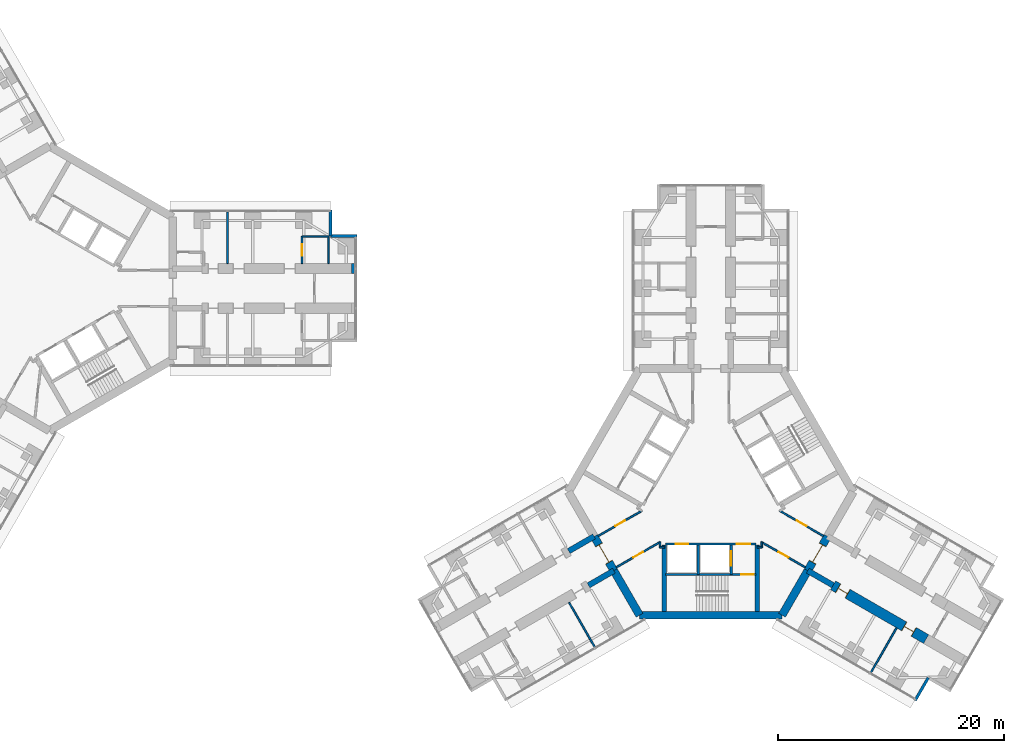
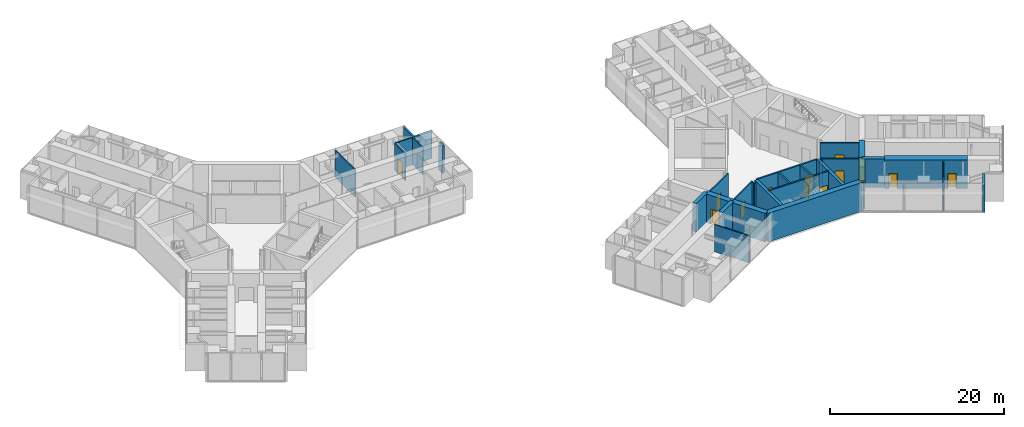
# One storey, part 20 of 24: 33 walls, 13 doors, 13 openings.
"""IFC4 building model written with IfcOpenShell, lengths in metres."""

from ifc_helpers import new_model, si_unit, direction, frame, frame_2d, origin, place, context, subcontext, project, spatial, rectangle, extrude, material, layer, layer_set, type_object, element, fill, save


model = new_model("IFC4")

# Units and contexts
model_context = context("Model", 3, precision=1e-05, world=origin(), true_north=direction((0.0, 1.0)))
body_context = subcontext(model_context, "Body", "Model", "MODEL_VIEW")
ifc_project = project(units=[si_unit("LENGTHUNIT", "METRE"), si_unit("AREAUNIT", "SQUARE_METRE"), si_unit("VOLUMEUNIT", "CUBIC_METRE"), si_unit("PLANEANGLEUNIT", "RADIAN"), si_unit("MASSUNIT", "GRAM", prefix="KILO")], contexts=[model_context])

# Site, building, storey
site_placement = place(None, origin())
site = spatial("IfcSite", under=ifc_project, at=site_placement, CompositionType="ELEMENT")
building_placement = place(site_placement, origin())
building = spatial("IfcBuilding", under=site, at=building_placement, Name="Upepo Twin Towers", CompositionType="ELEMENT")
storey_placement = place(building_placement, frame((0.0, 0.0, 56.5)))
storey = spatial("IfcBuildingStorey", under=building, at=storey_placement, Name="L13", CompositionType="ELEMENT", Elevation=56.5)

# Walls
ifc_material_1 = material(Name="Dense concrete blockwork", Category="masonry")
ifc_layer_1 = layer(ifc_material_1, 0.89990234375)
ifc_layer_set_1 = layer_set([ifc_layer_1], Name="Buttress closer 900, blockwork with fire-stopping to the curtain wall")
wall_type_1 = type_object("IfcWallType", Name="Buttress closer 900, blockwork with fire-stopping to the curtain wall", PredefinedType="PARTITIONING", material=ifc_layer_set_1)
wall_1_placement = place(storey_placement, frame((26.699951171875, 1.75, 0.0), z_axis=(0.0, 0.0, 1.0), x_axis=(1.0, 0.0, 0.0)))
element("IfcWall", 1, at=wall_1_placement, inside=storey, type_object=wall_type_1, Name="T1 L13 wing A buttress closer L", PredefinedType="PARTITIONING", context=body_context, shape_type="SweptSolid", body=[
    extrude(rectangle(XDim=0.31005859375, YDim=0.89990234375, at=frame_2d((0.155029296875, 0.0))), origin(), (0.0, 0.0, 1.0), 3.800048828125),
])
ifc_material_2 = material(Name="Concrete C60/75", Category="concrete")
ifc_layer_2 = layer(ifc_material_2, 0.5)
ifc_layer_set_2 = layer_set([ifc_layer_2], Name="Concrete C60/75")
wall_type_2 = type_object("IfcWallType", Name="Buttress wall 500 RC", PredefinedType="SHEAR", material=ifc_layer_set_2)
for number, where, z_axis, x_axis, name in (
    (2, (49.92822265625, -24.9697265625, 0.0), (0.0, 0.0, 1.0), (-0.866031863473, -0.499988811324, 0.0), "T2 wing B buttress wall L"),
    (3, (48.17822265625, -21.938720703125, 0.0), (0.0, 0.0, 1.0), (-0.866072649678, -0.499918158782, 0.0), "T2 wing B buttress wall R"),
    (4, (67.07177734375, -24.9697265625, 0.0), (0.0, 0.0, 1.0), (0.866031863473, -0.499988811324, 0.0), "T2 wing C buttress wall R"),
):
    element("IfcWall", number, at=place(storey_placement, frame(where, z_axis=z_axis, x_axis=x_axis)), inside=storey, type_object=wall_type_2, Name=name, PredefinedType="SHEAR", context=body_context, shape_type="SweptSolid", body=[
        extrude(rectangle(XDim=2.591796875, YDim=0.5, at=frame_2d((1.2958984375, 0.0))), origin(), (0.0, 0.0, 1.0), 4.0),
    ])

# Wall, openings, doors
ifc_material_3 = material(Name="Concrete C60/75", Category="concrete")
ifc_layer_3 = layer(ifc_material_3, 0.89990234375)
ifc_layer_set_3 = layer_set([ifc_layer_3], Name="Concrete C60/75")
wall_type_3 = type_object("IfcWallType", Name="Buttress wall 900 RC", PredefinedType="SHEAR", material=ifc_layer_set_3)
wall_2_placement = place(storey_placement, frame((69.31640625, -26.265625, 0.0), z_axis=(0.0, 0.0, 1.0), x_axis=(0.86602681393, -0.499997557548, 0.0)))
wall_2 = element("IfcWall", 5, at=wall_2_placement, inside=storey, type_object=wall_type_3, Name="T2 wing C buttress wall R part 2", PredefinedType="SHEAR", context=body_context, shape_type="SweptSolid", body=[
    extrude(rectangle(XDim=9.5, YDim=0.89990234375, at=frame_2d((4.75, 0.0))), origin(), (0.0, 0.0, 1.0), 4.0),
])
opening_1_placement = place(wall_2_placement, frame((0.5, 0.0, 0.0)))
opening_1 = element("IfcOpeningElement", 6, at=opening_1_placement, cuts=wall_2, Name="Opening D1", PredefinedType="OPENING", context=body_context, shape_type="SweptSolid", body=[
    extrude(rectangle(XDim=1.0, YDim=2.10009765625, at=frame_2d((0.5, 1.050048828125))), frame((0.0, 0.4599609375, 0.0), z_axis=(0.0, -1.0, 0.0), x_axis=(1.0, 0.0, 0.0)), (0.0, 0.0, 1.0), 0.919921875),
])
opening_2_placement = place(wall_2_placement, frame((7.25, 0.0, 0.0)))
opening_2 = element("IfcOpeningElement", 7, at=opening_2_placement, cuts=wall_2, Name="Opening D1", PredefinedType="OPENING", context=body_context, shape_type="SweptSolid", body=[
    extrude(rectangle(XDim=1.0, YDim=2.10009765625, at=frame_2d((0.5, 1.050048828125))), frame((0.0, 0.4599609375, 0.0), z_axis=(0.0, -1.0, 0.0), x_axis=(1.0, 0.0, 0.0)), (0.0, 0.0, 1.0), 0.919921875),
])
ifc_material_4 = material(Name="Timber doorset", Category="wood")
door_type_1 = type_object("IfcDoorType", Name="Room door 1000 FD30", OperationType="SINGLE_SWING_LEFT", PredefinedType="DOOR", material=ifc_material_4)
door_1_placement = place(opening_1_placement, origin())
door_1 = element("IfcDoor", 8, at=door_1_placement, inside=storey, type_object=door_type_1, Name="T2 L13 classroom door", OperationType="SINGLE_SWING_LEFT", OverallHeight=2.10009765625, OverallWidth=1.0, PredefinedType="DOOR", context=body_context, shape_type="SweptSolid", body=[
    extrude(rectangle(XDim=0.92, YDim=2.06009765625, at=frame_2d((0.5, 1.030029296875))), frame((0.0, 0.02490234375, 0.0), z_axis=(0.0, -1.0, 0.0), x_axis=(1.0, 0.0, 0.0)), (0.0, 0.0, 1.0), 0.050048828125),
    extrude(rectangle(XDim=0.04, YDim=2.10009765625, at=frame_2d((0.02001953125, 1.050048828125))), frame((0.0, 0.44970703125, 0.0), z_axis=(0.0, -1.0, 0.0), x_axis=(1.0, 0.0, 0.0)), (0.0, 0.0, 1.0), 0.8994140625),
    extrude(rectangle(XDim=0.04, YDim=2.10009765625, at=frame_2d((0.97998046875, 1.050048828125))), frame((0.0, 0.44970703125, 0.0), z_axis=(0.0, -1.0, 0.0), x_axis=(1.0, 0.0, 0.0)), (0.0, 0.0, 1.0), 0.8994140625),
    extrude(rectangle(XDim=0.92, YDim=0.04, at=frame_2d((0.5, 2.080078125))), frame((0.0, 0.44970703125, 0.0), z_axis=(0.0, -1.0, 0.0), x_axis=(1.0, 0.0, 0.0)), (0.0, 0.0, 1.0), 0.8994140625),
])
fill(opening_1, door_1)
door_2_placement = place(opening_2_placement, origin())
door_2 = element("IfcDoor", 9, at=door_2_placement, inside=storey, type_object=door_type_1, Name="T2 L13 tutorial room door", OperationType="SINGLE_SWING_RIGHT", OverallHeight=2.10009765625, OverallWidth=1.0, PredefinedType="DOOR", context=body_context, shape_type="SweptSolid", body=[
    extrude(rectangle(XDim=0.92, YDim=2.06009765625, at=frame_2d((0.5, 1.030029296875))), frame((0.0, 0.02490234375, 0.0), z_axis=(0.0, -1.0, 0.0), x_axis=(1.0, 0.0, 0.0)), (0.0, 0.0, 1.0), 0.050048828125),
    extrude(rectangle(XDim=0.04, YDim=2.10009765625, at=frame_2d((0.02001953125, 1.050048828125))), frame((0.0, 0.44970703125, 0.0), z_axis=(0.0, -1.0, 0.0), x_axis=(1.0, 0.0, 0.0)), (0.0, 0.0, 1.0), 0.8994140625),
    extrude(rectangle(XDim=0.04, YDim=2.10009765625, at=frame_2d((0.97998046875, 1.050048828125))), frame((0.0, 0.44970703125, 0.0), z_axis=(0.0, -1.0, 0.0), x_axis=(1.0, 0.0, 0.0)), (0.0, 0.0, 1.0), 0.8994140625),
    extrude(rectangle(XDim=0.92, YDim=0.04, at=frame_2d((0.5, 2.080078125))), frame((0.0, 0.44970703125, 0.0), z_axis=(0.0, -1.0, 0.0), x_axis=(1.0, 0.0, 0.0)), (0.0, 0.0, 1.0), 0.8994140625),
])
fill(opening_2, door_2)

# Wall, opening, door
ifc_material_5 = material(Name="Concrete C60/75", Category="concrete")
ifc_layer_4 = layer(ifc_material_5, 0.699951171875)
ifc_layer_set_4 = layer_set([ifc_layer_4], Name="Concrete C60/75")
wall_type_4 = type_object("IfcWallType", Name="Core wall 700 RC", PredefinedType="SHEAR", material=ifc_layer_set_4)
wall_3_placement = place(storey_placement, frame((48.17822265625, -21.938720703125, 0.0), z_axis=(0.0, 0.0, 1.0), x_axis=(0.500010275428, -0.866019471182, 0.0)))
wall_3 = element("IfcWall", 10, at=wall_3_placement, inside=storey, type_object=wall_type_4, Name="T2 core wall 120", PredefinedType="SHEAR", context=body_context, shape_type="SweptSolid", body=[
    extrude(rectangle(XDim=3.5, YDim=0.699951171875, at=frame_2d((1.75, 0.0))), origin(), (0.0, 0.0, 1.0), 4.0),
])
opening_3_placement = place(wall_3_placement, frame((0.85009765625, 0.0, 0.0)))
opening_3 = element("IfcOpeningElement", 11, at=opening_3_placement, cuts=wall_3, Name="Opening D2", PredefinedType="OPENING", context=body_context, shape_type="SweptSolid", body=[
    extrude(rectangle(XDim=1.800048828125, YDim=2.10009765625, at=frame_2d((0.89990234375, 1.050048828125))), frame((0.0, 0.35986328125, 0.0), z_axis=(0.0, -1.0, 0.0), x_axis=(1.0, 0.0, 0.0)), (0.0, 0.0, 1.0), 0.719970703125),
])
ifc_material_6 = material(Name="Timber doorset", Category="wood")
door_type_2 = type_object("IfcDoorType", Name="Corridor double door 1800 FD60", OperationType="DOUBLE_DOOR_DOUBLE_SWING", PredefinedType="DOOR", material=ifc_material_6)
door_3_placement = place(opening_3_placement, origin())
door_3 = element("IfcDoor", 12, at=door_3_placement, inside=storey, type_object=door_type_2, Name="T2 L13 wing B corridor door", OperationType="DOUBLE_DOOR_DOUBLE_SWING", OverallHeight=2.10009765625, OverallWidth=1.800048828125, PredefinedType="DOOR", context=body_context, shape_type="SweptSolid", body=[
    extrude(rectangle(XDim=1.720048828125, YDim=2.06009765625, at=frame_2d((0.89990234375, 1.030029296875))), frame((0.0, 0.02490234375, 0.0), z_axis=(0.0, -1.0, 0.0), x_axis=(1.0, 0.0, 0.0)), (0.0, 0.0, 1.0), 0.050048828125),
    extrude(rectangle(XDim=0.04, YDim=2.10009765625, at=frame_2d((0.02001953125, 1.050048828125))), frame((0.0, 0.349609375, 0.0), z_axis=(0.0, -1.0, 0.0), x_axis=(1.0, 0.0, 0.0)), (0.0, 0.0, 1.0), 0.699462890625),
    extrude(rectangle(XDim=0.04, YDim=2.10009765625, at=frame_2d((1.780029296875, 1.050048828125))), frame((0.0, 0.349609375, 0.0), z_axis=(0.0, -1.0, 0.0), x_axis=(1.0, 0.0, 0.0)), (0.0, 0.0, 1.0), 0.699462890625),
    extrude(rectangle(XDim=1.720048828125, YDim=0.04, at=frame_2d((0.89990234375, 2.080078125))), frame((0.0, 0.349609375, 0.0), z_axis=(0.0, -1.0, 0.0), x_axis=(1.0, 0.0, 0.0)), (0.0, 0.0, 1.0), 0.699462890625),
])
fill(opening_3, door_3)

# Walls
wall_4_placement = place(storey_placement, frame((49.92822265625, -24.9697265625, 0.0), z_axis=(0.0, 0.0, 1.0), x_axis=(0.499984222037, -0.866034513004, 0.0)))
element("IfcWall", 13, at=wall_4_placement, inside=storey, type_object=wall_type_4, Name="T2 core wall 120 L", PredefinedType="SHEAR", context=body_context, shape_type="SweptSolid", body=[
    extrude(rectangle(XDim=4.548095703125, YDim=0.699951171875, at=frame_2d((2.27392578125, 0.0))), origin(), (0.0, 0.0, 1.0), 4.0),
])
wall_5_placement = place(storey_placement, frame((52.2021484375, -28.908447265625, 0.0), z_axis=(0.0, 0.0, 1.0), x_axis=(1.0, 0.0, 0.0)))
element("IfcWall", 14, at=wall_5_placement, inside=storey, type_object=wall_type_4, Name="T2 core wall 180", PredefinedType="SHEAR", context=body_context, shape_type="SweptSolid", body=[
    extrude(rectangle(XDim=12.595703125, YDim=0.699951171875, at=frame_2d((6.2978515625, 0.0))), origin(), (0.0, 0.0, 1.0), 4.0),
])
wall_6_placement = place(storey_placement, frame((64.7978515625, -28.908447265625, 0.0), z_axis=(0.0, 0.0, 1.0), x_axis=(0.499984222037, 0.866034513004, 0.0)))
element("IfcWall", 15, at=wall_6_placement, inside=storey, type_object=wall_type_4, Name="T2 core wall 240 R", PredefinedType="SHEAR", context=body_context, shape_type="SweptSolid", body=[
    extrude(rectangle(XDim=4.548095703125, YDim=0.699951171875, at=frame_2d((2.27392578125, 0.0))), origin(), (0.0, 0.0, 1.0), 4.0),
])

# Wall, opening, door
wall_7_placement = place(storey_placement, frame((67.07177734375, -24.9697265625, 0.0), z_axis=(0.0, 0.0, 1.0), x_axis=(0.500010275428, 0.866019471182, 0.0)))
wall_7 = element("IfcWall", 16, at=wall_7_placement, inside=storey, type_object=wall_type_4, Name="T2 core wall 240", PredefinedType="SHEAR", context=body_context, shape_type="SweptSolid", body=[
    extrude(rectangle(XDim=3.5, YDim=0.699951171875, at=frame_2d((1.75, 0.0))), origin(), (0.0, 0.0, 1.0), 4.0),
])
opening_4_placement = place(wall_7_placement, frame((0.85009765625, 0.0, 0.0)))
opening_4 = element("IfcOpeningElement", 17, at=opening_4_placement, cuts=wall_7, Name="Opening D2", PredefinedType="OPENING", context=body_context, shape_type="SweptSolid", body=[
    extrude(rectangle(XDim=1.800048828125, YDim=2.10009765625, at=frame_2d((0.89990234375, 1.050048828125))), frame((0.0, 0.35986328125, 0.0), z_axis=(0.0, -1.0, 0.0), x_axis=(1.0, 0.0, 0.0)), (0.0, 0.0, 1.0), 0.719970703125),
])
door_4_placement = place(opening_4_placement, origin())
door_4 = element("IfcDoor", 18, at=door_4_placement, inside=storey, type_object=door_type_2, Name="T2 L13 wing C corridor door", OperationType="DOUBLE_DOOR_DOUBLE_SWING", OverallHeight=2.10009765625, OverallWidth=1.800048828125, PredefinedType="DOOR", context=body_context, shape_type="SweptSolid", body=[
    extrude(rectangle(XDim=1.720048828125, YDim=2.06009765625, at=frame_2d((0.89990234375, 1.030029296875))), frame((0.0, 0.02490234375, 0.0), z_axis=(0.0, -1.0, 0.0), x_axis=(1.0, 0.0, 0.0)), (0.0, 0.0, 1.0), 0.050048828125),
    extrude(rectangle(XDim=0.04, YDim=2.10009765625, at=frame_2d((0.02001953125, 1.050048828125))), frame((0.0, 0.349609375, 0.0), z_axis=(0.0, -1.0, 0.0), x_axis=(1.0, 0.0, 0.0)), (0.0, 0.0, 1.0), 0.699462890625),
    extrude(rectangle(XDim=0.04, YDim=2.10009765625, at=frame_2d((1.780029296875, 1.050048828125))), frame((0.0, 0.349609375, 0.0), z_axis=(0.0, -1.0, 0.0), x_axis=(1.0, 0.0, 0.0)), (0.0, 0.0, 1.0), 0.699462890625),
    extrude(rectangle(XDim=1.720048828125, YDim=0.04, at=frame_2d((0.89990234375, 2.080078125))), frame((0.0, 0.349609375, 0.0), z_axis=(0.0, -1.0, 0.0), x_axis=(1.0, 0.0, 0.0)), (0.0, 0.0, 1.0), 0.699462890625),
])
fill(opening_4, door_4)

# Walls
ifc_material_7 = material(Name="Blockwork with anodised aluminium cladding", Category="masonry")
ifc_layer_5 = layer(ifc_material_7, 0.25)
ifc_layer_set_5 = layer_set([ifc_layer_5], Name="Notch cladding wall 250, pale metal")
wall_type_5 = type_object("IfcWallType", Name="Notch cladding wall 250, pale metal", PredefinedType="STANDARD", material=ifc_layer_set_5)
for number, where, z_axis, x_axis, name in (
    (19, (24.875, 6.949951171875, 0.0), (0.0, 0.0, 1.0), (0.0, -1.0, 0.0), "T1 L13 wing A notch wall L1"),
    (20, (24.875, 4.625, 0.0), (0.0, 0.0, 1.0), (1.0, 0.0, 0.0), "T1 L13 wing A notch wall L2"),
    (21, (76.5673828125, -36.456298828125, 0.0), (0.0, 0.0, 1.0), (0.500046648681, 0.865998469481, 0.0), "T2 L13 wing C notch wall R1"),
):
    element("IfcWall", number, at=place(storey_placement, frame(where, z_axis=z_axis, x_axis=x_axis)), inside=storey, type_object=wall_type_5, Name=name, PredefinedType="STANDARD", context=body_context, shape_type="SweptSolid", body=[
        extrude(rectangle(XDim=2.324951171875, YDim=0.25, at=frame_2d((1.16259765625, 0.0))), origin(), (0.0, 0.0, 1.0), 3.800048828125),
    ])

# Wall, openings, doors
ifc_material_8 = material(Name="Concrete C40/50", Category="concrete")
ifc_layer_6 = layer(ifc_material_8, 0.199951171875)
ifc_layer_set_6 = layer_set([ifc_layer_6], Name="Concrete C40/50")
wall_type_6 = type_object("IfcWallType", Name="Shaft wall 200 RC", PredefinedType="SHEAR", material=ifc_layer_set_6)
wall_8_placement = place(storey_placement, frame((54.5, -22.60009765625, 0.0), z_axis=(0.0, 0.0, 1.0), x_axis=(1.0, 0.0, 0.0)))
wall_8 = element("IfcWall", 22, at=wall_8_placement, inside=storey, type_object=wall_type_6, Name="T2 core W180 front wall", PredefinedType="SHEAR", context=body_context, shape_type="SweptSolid", body=[
    extrude(rectangle(XDim=8.0, YDim=0.199951171875, at=frame_2d((4.0, 0.0))), origin(), (0.0, 0.0, 1.0), 4.0),
])
opening_5_placement = place(wall_8_placement, frame((6.300048828125, 0.0, 0.0)))
opening_5 = element("IfcOpeningElement", 23, at=opening_5_placement, cuts=wall_8, Name="Opening D4", PredefinedType="OPENING", context=body_context, shape_type="SweptSolid", body=[
    extrude(rectangle(XDim=1.199951171875, YDim=2.10009765625, at=frame_2d((0.60009765625, 1.050048828125))), frame((0.0, 0.10986328125, 0.0), z_axis=(0.0, -1.0, 0.0), x_axis=(1.0, 0.0, 0.0)), (0.0, 0.0, 1.0), 0.219970703125),
])
opening_6_placement = place(wall_8_placement, frame((0.89990234375, 0.0, 0.0)))
opening_6 = element("IfcOpeningElement", 24, at=opening_6_placement, cuts=wall_8, Name="Opening LD1", PredefinedType="OPENING", context=body_context, shape_type="SweptSolid", body=[
    extrude(rectangle(XDim=1.10009765625, YDim=2.199951171875, at=frame_2d((0.550048828125, 1.10009765625))), frame((0.0, 0.10986328125, 0.0), z_axis=(0.0, -1.0, 0.0), x_axis=(1.0, 0.0, 0.0)), (0.0, 0.0, 1.0), 0.219970703125),
])
ifc_material_9 = material(Name="Steel doorset", Category="steel")
door_type_3 = type_object("IfcDoorType", Name="Lift landing door 1100", OperationType="DOUBLE_DOOR_SLIDING", PredefinedType="DOOR", material=ifc_material_9)
door_5_placement = place(opening_6_placement, origin())
door_5 = element("IfcDoor", 25, at=door_5_placement, inside=storey, type_object=door_type_3, Name="T2 L13 lift SV1 landing door", OperationType="DOUBLE_DOOR_SLIDING", OverallHeight=2.199951171875, OverallWidth=1.10009765625, PredefinedType="DOOR", context=body_context, shape_type="SweptSolid", body=[
    extrude(rectangle(XDim=1.10009765625, YDim=2.199951171875, at=frame_2d((0.550048828125, 1.10009765625))), frame((0.0, 0.02490234375, 0.0), z_axis=(0.0, -1.0, 0.0), x_axis=(1.0, 0.0, 0.0)), (0.0, 0.0, 1.0), 0.050048828125),
])
fill(opening_6, door_5)
ifc_material_10 = material(Name="Timber doorset", Category="wood")
door_type_4 = type_object("IfcDoorType", Name="Lobby door 1200 FD60", OperationType="SINGLE_SWING_LEFT", PredefinedType="DOOR", material=ifc_material_10)
door_6_placement = place(opening_5_placement, origin())
door_6 = element("IfcDoor", 26, at=door_6_placement, inside=storey, type_object=door_type_4, Name="T2 L13 W180 lobby door", OperationType="SINGLE_SWING_RIGHT", OverallHeight=2.10009765625, OverallWidth=1.199951171875, PredefinedType="DOOR", context=body_context, shape_type="SweptSolid", body=[
    extrude(rectangle(XDim=1.199951171875, YDim=2.10009765625, at=frame_2d((0.60009765625, 1.050048828125))), frame((0.0, 0.02490234375, 0.0), z_axis=(0.0, -1.0, 0.0), x_axis=(1.0, 0.0, 0.0)), (0.0, 0.0, 1.0), 0.050048828125),
])
fill(opening_5, door_6)

# Wall
wall_9_placement = place(storey_placement, frame((57.39990234375, -22.699951171875, 0.0), z_axis=(0.0, 0.0, 1.0), x_axis=(0.0, -1.0, 0.0)))
element("IfcWall", 27, at=wall_9_placement, inside=storey, type_object=wall_type_6, Name="T2 core W180 shaft divider", PredefinedType="SHEAR", context=body_context, shape_type="SweptSolid", body=[
    extrude(rectangle(XDim=2.60009765625, YDim=0.199951171875, at=frame_2d((1.300048828125, 0.0))), origin(), (0.0, 0.0, 1.0), 4.0),
])

# Wall, opening, door
wall_10_placement = place(storey_placement, frame((60.300048828125, -22.699951171875, 0.0), z_axis=(0.0, 0.0, 1.0), x_axis=(0.0, -1.0, 0.0)))
wall_10 = element("IfcWall", 28, at=wall_10_placement, inside=storey, type_object=wall_type_6, Name="T2 core W180 lobby wall", PredefinedType="SHEAR", context=body_context, shape_type="SweptSolid", body=[
    extrude(rectangle(XDim=2.60009765625, YDim=0.199951171875, at=frame_2d((1.300048828125, 0.0))), origin(), (0.0, 0.0, 1.0), 4.0),
])
opening_7_placement = place(wall_10_placement, frame((0.550048828125, 0.0, 0.0)))
opening_7 = element("IfcOpeningElement", 29, at=opening_7_placement, cuts=wall_10, Name="Opening LD2", PredefinedType="OPENING", context=body_context, shape_type="SweptSolid", body=[
    extrude(rectangle(XDim=1.300048828125, YDim=2.199951171875, at=frame_2d((0.64990234375, 1.10009765625))), frame((0.0, 0.10986328125, 0.0), z_axis=(0.0, -1.0, 0.0), x_axis=(1.0, 0.0, 0.0)), (0.0, 0.0, 1.0), 0.219970703125),
])
ifc_material_11 = material(Name="Steel doorset", Category="steel")
door_type_5 = type_object("IfcDoorType", Name="Firefighting lift landing door 1300", OperationType="DOUBLE_DOOR_SLIDING", PredefinedType="DOOR", material=ifc_material_11)
door_7_placement = place(opening_7_placement, origin())
door_7 = element("IfcDoor", 30, at=door_7_placement, inside=storey, type_object=door_type_5, Name="T2 L13 firefighting lift landing door", OperationType="DOUBLE_DOOR_SLIDING", OverallHeight=2.199951171875, OverallWidth=1.300048828125, PredefinedType="DOOR", context=body_context, shape_type="SweptSolid", body=[
    extrude(rectangle(XDim=1.300048828125, YDim=2.199951171875, at=frame_2d((0.64990234375, 1.10009765625))), frame((0.0, 0.02490234375, 0.0), z_axis=(0.0, -1.0, 0.0), x_axis=(1.0, 0.0, 0.0)), (0.0, 0.0, 1.0), 0.050048828125),
])
fill(opening_7, door_7)

wall_11_placement = place(storey_placement, frame((54.5, -25.300048828125, 0.0), z_axis=(0.0, 0.0, 1.0), x_axis=(1.0, 0.0, 0.0)))
wall_11 = element("IfcWall", 31, at=wall_11_placement, inside=storey, type_object=wall_type_6, Name="T2 core W180 stair wall", PredefinedType="SHEAR", context=body_context, shape_type="SweptSolid", body=[
    extrude(rectangle(XDim=8.0, YDim=0.199951171875, at=frame_2d((4.0, 0.0))), origin(), (0.0, 0.0, 1.0), 4.0),
])
opening_8_placement = place(wall_11_placement, frame((6.699951171875, 0.0, 0.0)))
opening_8 = element("IfcOpeningElement", 32, at=opening_8_placement, cuts=wall_11, Name="Opening D3", PredefinedType="OPENING", context=body_context, shape_type="SweptSolid", body=[
    extrude(rectangle(XDim=1.10009765625, YDim=2.10009765625, at=frame_2d((0.550048828125, 1.050048828125))), frame((0.0, 0.10986328125, 0.0), z_axis=(0.0, -1.0, 0.0), x_axis=(1.0, 0.0, 0.0)), (0.0, 0.0, 1.0), 0.219970703125),
])
ifc_material_12 = material(Name="Timber doorset", Category="wood")
door_type_6 = type_object("IfcDoorType", Name="Stair door 1100 FD60", OperationType="SINGLE_SWING_LEFT", PredefinedType="DOOR", material=ifc_material_12)
door_8_placement = place(opening_8_placement, origin())
door_8 = element("IfcDoor", 33, at=door_8_placement, inside=storey, type_object=door_type_6, Name="T2 L13 stair door", OperationType="SINGLE_SWING_RIGHT", OverallHeight=2.10009765625, OverallWidth=1.10009765625, PredefinedType="DOOR", context=body_context, shape_type="SweptSolid", body=[
    extrude(rectangle(XDim=1.10009765625, YDim=2.10009765625, at=frame_2d((0.550048828125, 1.050048828125))), frame((0.0, 0.02490234375, 0.0), z_axis=(0.0, -1.0, 0.0), x_axis=(1.0, 0.0, 0.0)), (0.0, 0.0, 1.0), 0.050048828125),
])
fill(opening_8, door_8)

# Walls
ifc_material_13 = material(Name="Concrete C40/50", Category="concrete")
ifc_layer_7 = layer(ifc_material_13, 0.39990234375)
ifc_layer_set_7 = layer_set([ifc_layer_7], Name="Concrete C40/50")
wall_type_7 = type_object("IfcWallType", Name="Shaft wall 400 RC", PredefinedType="SHEAR", material=ifc_layer_set_7)
for number, where, z_axis, x_axis, name in (
    (34, (62.60009765625, -22.699951171875, 0.0), (0.0, 0.0, 1.0), (0.0, -1.0, 0.0), "T2 core W180 side wall N"),
    (35, (54.39990234375, -22.699951171875, 0.0), (0.0, 0.0, 1.0), (0.0, -1.0, 0.0), "T2 core W180 side wall S"),
):
    element("IfcWall", number, at=place(storey_placement, frame(where, z_axis=z_axis, x_axis=x_axis)), inside=storey, type_object=wall_type_7, Name=name, PredefinedType="SHEAR", context=body_context, shape_type="SweptSolid", body=[
        extrude(rectangle(XDim=5.8583984375, YDim=0.39990234375, at=frame_2d((2.92919921875, 0.0))), origin(), (0.0, 0.0, 1.0), 4.0),
    ])
ifc_material_14 = material(Name="Gypsum board on steel studs", Category="steel")
ifc_layer_8 = layer(ifc_material_14, 0.14990234375)
ifc_layer_set_8 = layer_set([ifc_layer_8], Name="Teaching partition 150 acoustic")
wall_type_8 = type_object("IfcWallType", Name="Teaching partition 150 acoustic", PredefinedType="PARTITIONING", material=ifc_layer_set_8)
wall_12_placement = place(storey_placement, frame((15.75, 2.199951171875, 0.0), z_axis=(0.0, 0.0, 1.0), x_axis=(0.0, 1.0, 0.0)))
element("IfcWall", 36, at=wall_12_placement, inside=storey, type_object=wall_type_8, Name="T1 partition AL at 15.75", PredefinedType="PARTITIONING", context=body_context, shape_type="SweptSolid", body=[
    extrude(rectangle(XDim=4.550048828125, YDim=0.14990234375, at=frame_2d((2.27490234375, 0.0))), origin(), (0.0, 0.0, 1.0), 3.800048828125),
])
wall_13_placement = place(storey_placement, frame((22.35009765625, 4.60009765625, 0.0), z_axis=(0.0, 0.0, 1.0), x_axis=(1.0, 0.0, 0.0)))
element("IfcWall", 37, at=wall_13_placement, inside=storey, type_object=wall_type_8, Name="T1 inner room partition AL at 22.35", PredefinedType="PARTITIONING", context=body_context, shape_type="SweptSolid", body=[
    extrude(rectangle(XDim=2.39990234375, YDim=0.14990234375, at=frame_2d((1.199951171875, 0.0))), origin(), (0.0, 0.0, 1.0), 3.800048828125),
])

# Wall, opening, door
wall_14_placement = place(storey_placement, frame((22.35009765625, 2.199951171875, 0.0), z_axis=(0.0, 0.0, 1.0), x_axis=(0.0, 1.0, 0.0)))
wall_14 = element("IfcWall", 38, at=wall_14_placement, inside=storey, type_object=wall_type_8, Name="T1 inner room partition AL end at 22.35", PredefinedType="PARTITIONING", context=body_context, shape_type="SweptSolid", body=[
    extrude(rectangle(XDim=2.400146484375, YDim=0.14990234375, at=frame_2d((1.2001953125, 0.0))), origin(), (0.0, 0.0, 1.0), 3.800048828125),
])
opening_9_placement = place(wall_14_placement, frame((0.699951171875, 0.0, 0.0)))
opening_9 = element("IfcOpeningElement", 39, at=opening_9_placement, cuts=wall_14, Name="Opening D1", PredefinedType="OPENING", context=body_context, shape_type="SweptSolid", body=[
    extrude(rectangle(XDim=1.0, YDim=2.10009765625, at=frame_2d((0.5, 1.050048828125))), frame((0.0, 0.0849609375, 0.0), z_axis=(0.0, -1.0, 0.0), x_axis=(1.0, 0.0, 0.0)), (0.0, 0.0, 1.0), 0.169921875),
])
door_9_placement = place(opening_9_placement, origin())
door_9 = element("IfcDoor", 40, at=door_9_placement, inside=storey, type_object=door_type_1, Name="T1 L13 inner room door", OperationType="SINGLE_SWING_LEFT", OverallHeight=2.10009765625, OverallWidth=1.0, PredefinedType="DOOR", context=body_context, shape_type="SweptSolid", body=[
    extrude(rectangle(XDim=1.0, YDim=2.10009765625, at=frame_2d((0.5, 1.050048828125))), frame((0.0, 0.02490234375, 0.0), z_axis=(0.0, -1.0, 0.0), x_axis=(1.0, 0.0, 0.0)), (0.0, 0.0, 1.0), 0.050048828125),
])
fill(opening_9, door_9)

# Walls
wall_15_placement = place(storey_placement, frame((24.675048828125, 2.199951171875, 0.0), z_axis=(0.0, 0.0, 1.0), x_axis=(0.0, 1.0, 0.0)))
element("IfcWall", 41, at=wall_15_placement, inside=storey, type_object=wall_type_8, Name="T1 inner room partition AL end at 24.75", PredefinedType="PARTITIONING", context=body_context, shape_type="SweptSolid", body=[
    extrude(rectangle(XDim=2.400146484375, YDim=0.14990234375, at=frame_2d((1.2001953125, 0.0))), origin(), (0.0, 0.0, 1.0), 3.800048828125),
])
for number, where, z_axis, x_axis, name in (
    (42, (45.960205078125, -27.7802734375, 0.0), (0.0, 0.0, 1.0), (0.499982560684, -0.866035472144, 0.0), "T2 partition BL at 15.75"),
    (43, (74.93701171875, -30.0302734375, 0.0), (0.0, 0.0, 1.0), (-0.499982560684, -0.866035472144, 0.0), "T2 partition CR at 20.25"),
):
    element("IfcWall", number, at=place(storey_placement, frame(where, z_axis=z_axis, x_axis=x_axis)), inside=storey, type_object=wall_type_8, Name=name, PredefinedType="PARTITIONING", context=body_context, shape_type="SweptSolid", body=[
        extrude(rectangle(XDim=4.550048828125, YDim=0.14990234375, at=frame_2d((2.27490234375, 0.0))), origin(), (0.0, 0.0, 1.0), 3.800048828125),
    ])
wall_16_placement = place(storey_placement, frame((54.0, -22.919921875, 0.0), z_axis=(0.0, 0.0, 1.0), x_axis=(0.0, 1.0, 0.0)))
element("IfcWall", 44, at=wall_16_placement, inside=storey, type_object=wall_type_8, Name="T2 core room partition 1", PredefinedType="PARTITIONING", context=body_context, shape_type="SweptSolid", body=[
    extrude(rectangle(XDim=0.494384765625, YDim=0.14990234375, at=frame_2d((0.2470703125, 0.0))), origin(), (0.0, 0.0, 1.0), 3.800048828125),
])

# Wall, opening, door
wall_17_placement = place(storey_placement, frame((54.017333984375, -22.435546875, 0.0), z_axis=(0.0, 0.0, 1.0), x_axis=(-0.866015446554, -0.500017246033, 0.0)))
wall_17 = element("IfcWall", 45, at=wall_17_placement, inside=storey, type_object=wall_type_8, Name="T2 core room partition 2", PredefinedType="PARTITIONING", context=body_context, shape_type="SweptSolid", body=[
    extrude(rectangle(XDim=4.468505859375, YDim=0.14990234375, at=frame_2d((2.234375, 0.0))), origin(), (0.0, 0.0, 1.0), 3.800048828125),
])
opening_10_placement = place(wall_17_placement, frame((1.744384765625, 0.0, 0.0)))
opening_10 = element("IfcOpeningElement", 46, at=opening_10_placement, cuts=wall_17, Name="Opening D1", PredefinedType="OPENING", context=body_context, shape_type="SweptSolid", body=[
    extrude(rectangle(XDim=1.0, YDim=2.10009765625, at=frame_2d((0.5, 1.050048828125))), frame((0.0, 0.0849609375, 0.0), z_axis=(0.0, -1.0, 0.0), x_axis=(1.0, 0.0, 0.0)), (0.0, 0.0, 1.0), 0.169921875),
])
door_10_placement = place(opening_10_placement, origin())
door_10 = element("IfcDoor", 47, at=door_10_placement, inside=storey, type_object=door_type_1, Name="T2 L13 core room door K2", OperationType="SINGLE_SWING_RIGHT", OverallHeight=2.10009765625, OverallWidth=1.0, PredefinedType="DOOR", context=body_context, shape_type="SweptSolid", body=[
    extrude(rectangle(XDim=1.0, YDim=2.10009765625, at=frame_2d((0.5, 1.050048828125))), frame((0.0, 0.02490234375, 0.0), z_axis=(0.0, -1.0, 0.0), x_axis=(1.0, 0.0, 0.0)), (0.0, 0.0, 1.0), 0.050048828125),
])
fill(opening_10, door_10)

wall_18_placement = place(storey_placement, frame((48.547607421875, -21.8984375, 0.0), z_axis=(0.0, 0.0, 1.0), x_axis=(0.866025445582, 0.499999927604, 0.0)))
wall_18 = element("IfcWall", 48, at=wall_18_placement, inside=storey, type_object=wall_type_8, Name="T2 core room partition 3", PredefinedType="PARTITIONING", context=body_context, shape_type="SweptSolid", body=[
    extrude(rectangle(XDim=4.46826171875, YDim=0.14990234375, at=frame_2d((2.234130859375, 0.0))), origin(), (0.0, 0.0, 1.0), 3.800048828125),
])
opening_11_placement = place(wall_18_placement, frame((1.72412109375, 0.0, 0.0)))
opening_11 = element("IfcOpeningElement", 49, at=opening_11_placement, cuts=wall_18, Name="Opening D1", PredefinedType="OPENING", context=body_context, shape_type="SweptSolid", body=[
    extrude(rectangle(XDim=1.0, YDim=2.10009765625, at=frame_2d((0.5, 1.050048828125))), frame((0.0, 0.0849609375, 0.0), z_axis=(0.0, -1.0, 0.0), x_axis=(1.0, 0.0, 0.0)), (0.0, 0.0, 1.0), 0.169921875),
])
door_11_placement = place(opening_11_placement, origin())
door_11 = element("IfcDoor", 50, at=door_11_placement, inside=storey, type_object=door_type_1, Name="T2 L13 core room door K1", OperationType="SINGLE_SWING_LEFT", OverallHeight=2.10009765625, OverallWidth=1.0, PredefinedType="DOOR", context=body_context, shape_type="SweptSolid", body=[
    extrude(rectangle(XDim=1.0, YDim=2.10009765625, at=frame_2d((0.5, 1.050048828125))), frame((0.0, 0.02490234375, 0.0), z_axis=(0.0, -1.0, 0.0), x_axis=(1.0, 0.0, 0.0)), (0.0, 0.0, 1.0), 0.050048828125),
])
fill(opening_11, door_11)

wall_19_placement = place(storey_placement, frame((64.582763671875, -19.664306640625, 0.0), z_axis=(0.0, 0.0, 1.0), x_axis=(0.866025445582, -0.499999927604, 0.0)))
wall_19 = element("IfcWall", 51, at=wall_19_placement, inside=storey, type_object=wall_type_8, Name="T2 core room partition 14", PredefinedType="PARTITIONING", context=body_context, shape_type="SweptSolid", body=[
    extrude(rectangle(XDim=4.46826171875, YDim=0.14990234375, at=frame_2d((2.234130859375, 0.0))), origin(), (0.0, 0.0, 1.0), 3.800048828125),
])
opening_12_placement = place(wall_19_placement, frame((1.744384765625, 0.0, 0.0)))
opening_12 = element("IfcOpeningElement", 52, at=opening_12_placement, cuts=wall_19, Name="Opening D1", PredefinedType="OPENING", context=body_context, shape_type="SweptSolid", body=[
    extrude(rectangle(XDim=1.0, YDim=2.10009765625, at=frame_2d((0.5, 1.050048828125))), frame((0.0, 0.0849609375, 0.0), z_axis=(0.0, -1.0, 0.0), x_axis=(1.0, 0.0, 0.0)), (0.0, 0.0, 1.0), 0.169921875),
])
door_12_placement = place(opening_12_placement, origin())
door_12 = element("IfcDoor", 53, at=door_12_placement, inside=storey, type_object=door_type_1, Name="T2 L13 core room door K4", OperationType="SINGLE_SWING_RIGHT", OverallHeight=2.10009765625, OverallWidth=1.0, PredefinedType="DOOR", context=body_context, shape_type="SweptSolid", body=[
    extrude(rectangle(XDim=1.0, YDim=2.10009765625, at=frame_2d((0.5, 1.050048828125))), frame((0.0, 0.02490234375, 0.0), z_axis=(0.0, -1.0, 0.0), x_axis=(1.0, 0.0, 0.0)), (0.0, 0.0, 1.0), 0.050048828125),
])
fill(opening_12, door_12)

wall_20_placement = place(storey_placement, frame((66.8525390625, -24.669921875, 0.0), z_axis=(0.0, 0.0, 1.0), x_axis=(-0.866015446554, 0.500017246033, 0.0)))
wall_20 = element("IfcWall", 54, at=wall_20_placement, inside=storey, type_object=wall_type_8, Name="T2 core room partition 15", PredefinedType="PARTITIONING", context=body_context, shape_type="SweptSolid", body=[
    extrude(rectangle(XDim=4.468505859375, YDim=0.14990234375, at=frame_2d((2.234375, 0.0))), origin(), (0.0, 0.0, 1.0), 3.800048828125),
])
opening_13_placement = place(wall_20_placement, frame((1.72412109375, 0.0, 0.0)))
opening_13 = element("IfcOpeningElement", 55, at=opening_13_placement, cuts=wall_20, Name="Opening D1", PredefinedType="OPENING", context=body_context, shape_type="SweptSolid", body=[
    extrude(rectangle(XDim=1.0, YDim=2.10009765625, at=frame_2d((0.5, 1.050048828125))), frame((0.0, 0.0849609375, 0.0), z_axis=(0.0, -1.0, 0.0), x_axis=(1.0, 0.0, 0.0)), (0.0, 0.0, 1.0), 0.169921875),
])
door_13_placement = place(opening_13_placement, origin())
door_13 = element("IfcDoor", 56, at=door_13_placement, inside=storey, type_object=door_type_1, Name="T2 L13 core room door K3", OperationType="SINGLE_SWING_LEFT", OverallHeight=2.10009765625, OverallWidth=1.0, PredefinedType="DOOR", context=body_context, shape_type="SweptSolid", body=[
    extrude(rectangle(XDim=1.0, YDim=2.10009765625, at=frame_2d((0.5, 1.050048828125))), frame((0.0, 0.02490234375, 0.0), z_axis=(0.0, -1.0, 0.0), x_axis=(1.0, 0.0, 0.0)), (0.0, 0.0, 1.0), 0.050048828125),
])
fill(opening_13, door_13)

# Walls
wall_21_placement = place(storey_placement, frame((63.0, -22.425537109375, 0.0), z_axis=(0.0, 0.0, 1.0), x_axis=(0.0, -1.0, 0.0)))
element("IfcWall", 57, at=wall_21_placement, inside=storey, type_object=wall_type_8, Name="T2 core room partition 16", PredefinedType="PARTITIONING", context=body_context, shape_type="SweptSolid", body=[
    extrude(rectangle(XDim=0.494384765625, YDim=0.14990234375, at=frame_2d((0.2470703125, 0.0))), origin(), (0.0, 0.0, 1.0), 3.800048828125),
])
for number, where, z_axis, x_axis, name in (
    (58, (63.02001953125, -22.89990234375, 0.0), (0.0, 0.0, 1.0), (-1.0, 0.0, 0.0), "T2 core room partition 17"),
    (59, (54.409912109375, -22.89990234375, 0.0), (0.0, 0.0, 1.0), (-1.0, 0.0, 0.0), "T2 core room partition 18"),
):
    element("IfcWall", number, at=place(storey_placement, frame(where, z_axis=z_axis, x_axis=x_axis)), inside=storey, type_object=wall_type_8, Name=name, PredefinedType="PARTITIONING", context=body_context, shape_type="SweptSolid", body=[
        extrude(rectangle(XDim=0.429931640625, YDim=0.14990234375, at=frame_2d((0.21484375, 0.0))), origin(), (0.0, 0.0, 1.0), 3.800048828125),
    ])

save(model, "model.ifc")
